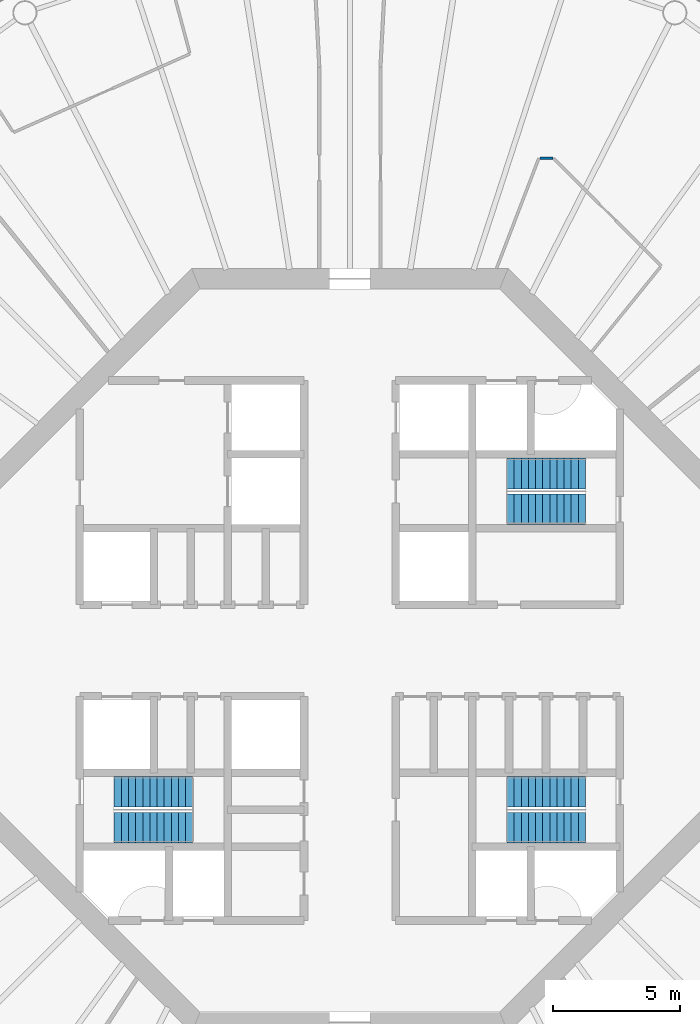
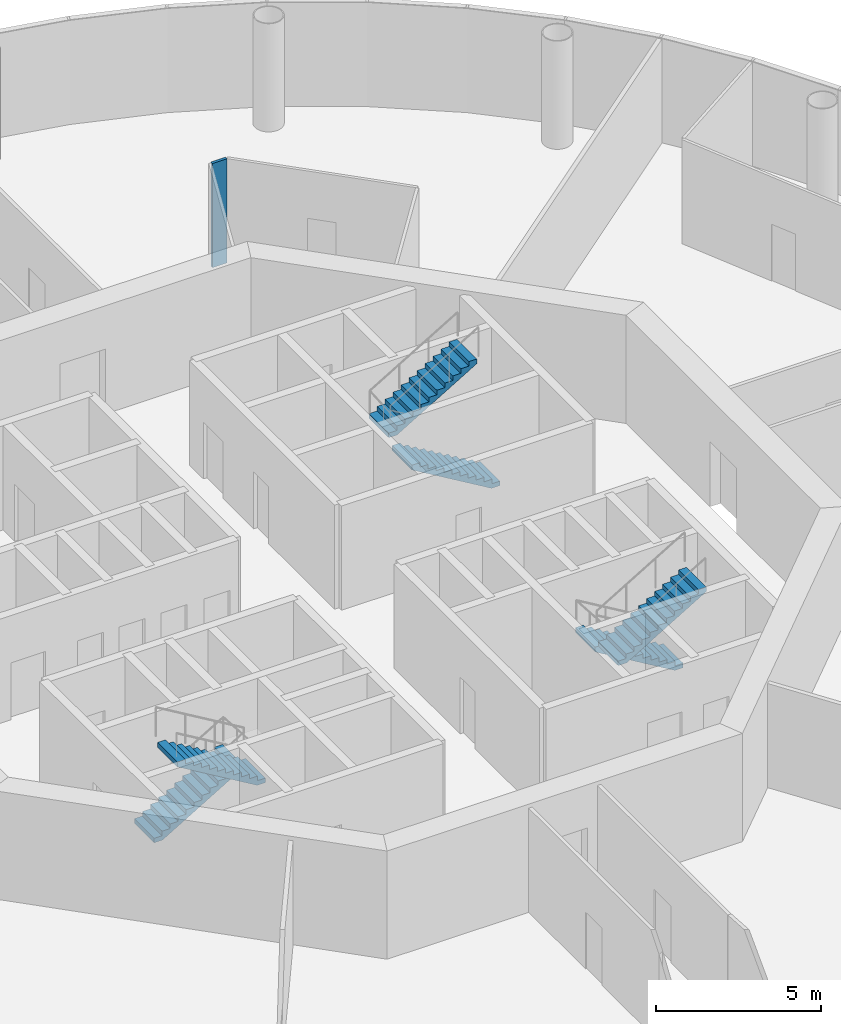
# One storey, part 6 of 13: 6 stair flights, 1 wall, 3 elements without a shape of their own.
"""IFC4 building model written with IfcOpenShell, lengths in metres."""

from ifc_helpers import new_model, si_unit, direction, frame, frame_2d, origin, place, context, subcontext, project, spatial, polyline, rectangle, outline, extrude, material, layer, layer_set, type_object, element, aggregate, save


model = new_model("IFC4")

# Units and contexts
model_context = context("Model", 3, precision=1e-05, world=origin(), true_north=direction((0.0, 1.0)))
body_context = subcontext(model_context, "Body", "Model", "MODEL_VIEW")
ifc_project = project(units=[si_unit("LENGTHUNIT", "METRE"), si_unit("AREAUNIT", "SQUARE_METRE"), si_unit("VOLUMEUNIT", "CUBIC_METRE"), si_unit("PLANEANGLEUNIT", "RADIAN"), si_unit("MASSUNIT", "GRAM", prefix="KILO")], contexts=[model_context])

# Site, building, storey
site_placement = place(None, origin())
site = spatial("IfcSite", under=ifc_project, at=site_placement, CompositionType="ELEMENT")
building_placement = place(site_placement, origin())
building = spatial("IfcBuilding", under=site, at=building_placement, Name="Entoto Ring Tower", CompositionType="ELEMENT")
storey_placement = place(building_placement, frame((0.0, 0.0, 314.0)))
storey = spatial("IfcBuildingStorey", under=building, at=storey_placement, Name="L72", CompositionType="ELEMENT", Elevation=314.0)

# Wall
ifc_material_1 = material(Name="Plasterboard on steel studs", Category="steel")
ifc_layer = layer(ifc_material_1, 0.10009765625)
ifc_layer_set = layer_set([ifc_layer], Name="Plasterboard on steel studs")
wall_type = type_object("IfcWallType", Name="Partition 100 mm plasterboard on steel studs", PredefinedType="PARTITIONING", material=ifc_layer_set)
wall_placement = place(storey_placement, frame((97.462890625, 99.320068359375, 0.0), z_axis=(0.0, 0.0, 1.0), x_axis=(1.0, 0.0, 0.0)))
element("IfcWall", 1, at=wall_placement, inside=storey, type_object=wall_type, Name="partition-L72-039", PredefinedType="PARTITIONING", context=body_context, shape_type="SweptSolid", body=[
    extrude(rectangle(XDim=0.504638671875, YDim=0.10009765625, at=frame_2d((0.25244140625, 0.0))), origin(), (0.0, 0.0, 1.0), 3.85009765625),
])

# Stair, stair flights
ifc_material_2 = material(Name="Concrete C40/50", Category="concrete")
stair_type = type_object("IfcStairType", Name="Exit stair 1200 mm dog-leg reinforced concrete", PredefinedType="HALF_TURN_STAIR", material=ifc_material_2)
stair_1_placement = place(storey_placement, origin())
stair_1 = element("IfcStair", 2, at=stair_1_placement, inside=storey, type_object=stair_type, Name="Exit stair 1", PredefinedType="HALF_TURN_STAIR")
ifc_material_3 = material(Name="Concrete C40/50", Category="concrete")
stair_flight_type = type_object("IfcStairFlightType", Name="Stair flight 1200 mm reinforced concrete", PredefinedType="STRAIGHT", material=ifc_material_3)
stair_flight_1_placement = place(storey_placement, frame((99.25, 85.550048828125, 0.0), z_axis=(0.0, 0.0, 1.0), x_axis=(-1.0, 0.0, 0.0)))
stair_flight_1 = element("IfcStairFlight", 3, at=stair_flight_1_placement, type_object=stair_flight_type, Name="ST1 flight 1", NumberOfRisers=12, NumberOfTreads=11, PredefinedType="STRAIGHT", RiserHeight=0.166666667, TreadLength=0.28, context=body_context, shape_type="SweptSolid", body=[
    extrude(outline(polyline([(0.0, 0.0), (0.0, 0.166748046875), (0.280029296875, 0.166748046875), (0.280029296875, 0.333251953125), (0.56005859375, 0.333251953125), (0.56005859375, 0.5), (0.840087890625, 0.5), (0.840087890625, 0.666748046875), (1.1201171875, 0.666748046875), (1.1201171875, 0.833251953125), (1.39990234375, 0.833251953125), (1.39990234375, 1.0), (1.679931640625, 1.0), (1.679931640625, 1.166748046875), (1.9599609375, 1.166748046875), (1.9599609375, 1.333251953125), (2.239990234375, 1.333251953125), (2.239990234375, 1.5), (2.52001953125, 1.5), (2.52001953125, 1.666748046875), (2.800048828125, 1.666748046875), (2.800048828125, 1.833251953125), (3.080078125, 1.833251953125), (3.080078125, 2.0), (3.080078125, 1.658935546875), (0.29296875, 0.0), (0.0, 0.0)])), frame((0.0, 0.60009765625, 0.0), z_axis=(0.0, -1.0, 0.0), x_axis=(1.0, 0.0, 0.0)), (0.0, 0.0, 1.0), 1.199951171875),
])
stair_flight_2_placement = place(storey_placement, frame((96.169921875, 86.949951171875, 2.0), z_axis=(0.0, 0.0, 1.0), x_axis=(1.0, 0.0, 0.0)))
stair_flight_2 = element("IfcStairFlight", 4, at=stair_flight_2_placement, type_object=stair_flight_type, Name="ST1 flight 2", NumberOfRisers=12, NumberOfTreads=11, PredefinedType="STRAIGHT", RiserHeight=0.166666667, TreadLength=0.28, context=body_context, shape_type="SweptSolid", body=[
    extrude(outline(polyline([(0.0, 0.0), (0.0, 0.166748046875), (0.280029296875, 0.166748046875), (0.280029296875, 0.333251953125), (0.56005859375, 0.333251953125), (0.56005859375, 0.5), (0.840087890625, 0.5), (0.840087890625, 0.666748046875), (1.1201171875, 0.666748046875), (1.1201171875, 0.833251953125), (1.39990234375, 0.833251953125), (1.39990234375, 1.0), (1.679931640625, 1.0), (1.679931640625, 1.166748046875), (1.9599609375, 1.166748046875), (1.9599609375, 1.333251953125), (2.239990234375, 1.333251953125), (2.239990234375, 1.5), (2.52001953125, 1.5), (2.52001953125, 1.666748046875), (2.800048828125, 1.666748046875), (2.800048828125, 1.833251953125), (3.080078125, 1.833251953125), (3.080078125, 2.0), (3.080078125, 1.658935546875), (0.29296875, 0.0), (0.0, 0.0)])), frame((0.0, 0.60009765625, 0.0), z_axis=(0.0, -1.0, 0.0), x_axis=(1.0, 0.0, 0.0)), (0.0, 0.0, 1.0), 1.199951171875),
])
aggregate(stair_1, [stair_flight_1, stair_flight_2])

stair_2_placement = place(storey_placement, origin())
stair_2 = element("IfcStair", 5, at=stair_2_placement, inside=storey, type_object=stair_type, Name="Exit stair 2", PredefinedType="HALF_TURN_STAIR")
stair_flight_3_placement = place(storey_placement, frame((80.75, 74.449951171875, 0.0), z_axis=(0.0, 0.0, 1.0), x_axis=(1.0, 0.0, 0.0)))
stair_flight_3 = element("IfcStairFlight", 6, at=stair_flight_3_placement, type_object=stair_flight_type, Name="ST2 flight 1", NumberOfRisers=12, NumberOfTreads=11, PredefinedType="STRAIGHT", RiserHeight=0.166666667, TreadLength=0.28, context=body_context, shape_type="SweptSolid", body=[
    extrude(outline(polyline([(0.0, 0.0), (0.0, 0.166748046875), (0.280029296875, 0.166748046875), (0.280029296875, 0.333251953125), (0.56005859375, 0.333251953125), (0.56005859375, 0.5), (0.840087890625, 0.5), (0.840087890625, 0.666748046875), (1.1201171875, 0.666748046875), (1.1201171875, 0.833251953125), (1.39990234375, 0.833251953125), (1.39990234375, 1.0), (1.679931640625, 1.0), (1.679931640625, 1.166748046875), (1.9599609375, 1.166748046875), (1.9599609375, 1.333251953125), (2.239990234375, 1.333251953125), (2.239990234375, 1.5), (2.52001953125, 1.5), (2.52001953125, 1.666748046875), (2.800048828125, 1.666748046875), (2.800048828125, 1.833251953125), (3.080078125, 1.833251953125), (3.080078125, 2.0), (3.080078125, 1.658935546875), (0.29296875, 0.0), (0.0, 0.0)])), frame((0.0, 0.60009765625, 0.0), z_axis=(0.0, -1.0, 0.0), x_axis=(1.0, 0.0, 0.0)), (0.0, 0.0, 1.0), 1.199951171875),
])
stair_flight_4_placement = place(storey_placement, frame((83.830078125, 73.050048828125, 2.0), z_axis=(0.0, 0.0, 1.0), x_axis=(-1.0, 0.0, 0.0)))
stair_flight_4 = element("IfcStairFlight", 7, at=stair_flight_4_placement, type_object=stair_flight_type, Name="ST2 flight 2", NumberOfRisers=12, NumberOfTreads=11, PredefinedType="STRAIGHT", RiserHeight=0.166666667, TreadLength=0.28, context=body_context, shape_type="SweptSolid", body=[
    extrude(outline(polyline([(0.0, 0.0), (0.0, 0.166748046875), (0.280029296875, 0.166748046875), (0.280029296875, 0.333251953125), (0.56005859375, 0.333251953125), (0.56005859375, 0.5), (0.840087890625, 0.5), (0.840087890625, 0.666748046875), (1.1201171875, 0.666748046875), (1.1201171875, 0.833251953125), (1.39990234375, 0.833251953125), (1.39990234375, 1.0), (1.679931640625, 1.0), (1.679931640625, 1.166748046875), (1.9599609375, 1.166748046875), (1.9599609375, 1.333251953125), (2.239990234375, 1.333251953125), (2.239990234375, 1.5), (2.52001953125, 1.5), (2.52001953125, 1.666748046875), (2.800048828125, 1.666748046875), (2.800048828125, 1.833251953125), (3.080078125, 1.833251953125), (3.080078125, 2.0), (3.080078125, 1.658935546875), (0.29296875, 0.0), (0.0, 0.0)])), frame((0.0, 0.60009765625, 0.0), z_axis=(0.0, -1.0, 0.0), x_axis=(1.0, 0.0, 0.0)), (0.0, 0.0, 1.0), 1.199951171875),
])
aggregate(stair_2, [stair_flight_3, stair_flight_4])

stair_3_placement = place(storey_placement, origin())
stair_3 = element("IfcStair", 8, at=stair_3_placement, inside=storey, type_object=stair_type, Name="Exit stair 3", PredefinedType="HALF_TURN_STAIR")
stair_flight_5_placement = place(storey_placement, frame((99.25, 74.449951171875, 0.0), z_axis=(0.0, 0.0, 1.0), x_axis=(-1.0, 0.0, 0.0)))
stair_flight_5 = element("IfcStairFlight", 9, at=stair_flight_5_placement, type_object=stair_flight_type, Name="ST3 flight 1", NumberOfRisers=12, NumberOfTreads=11, PredefinedType="STRAIGHT", RiserHeight=0.166666667, TreadLength=0.28, context=body_context, shape_type="SweptSolid", body=[
    extrude(outline(polyline([(0.0, 0.0), (0.0, 0.166748046875), (0.280029296875, 0.166748046875), (0.280029296875, 0.333251953125), (0.56005859375, 0.333251953125), (0.56005859375, 0.5), (0.840087890625, 0.5), (0.840087890625, 0.666748046875), (1.1201171875, 0.666748046875), (1.1201171875, 0.833251953125), (1.39990234375, 0.833251953125), (1.39990234375, 1.0), (1.679931640625, 1.0), (1.679931640625, 1.166748046875), (1.9599609375, 1.166748046875), (1.9599609375, 1.333251953125), (2.239990234375, 1.333251953125), (2.239990234375, 1.5), (2.52001953125, 1.5), (2.52001953125, 1.666748046875), (2.800048828125, 1.666748046875), (2.800048828125, 1.833251953125), (3.080078125, 1.833251953125), (3.080078125, 2.0), (3.080078125, 1.658935546875), (0.29296875, 0.0), (0.0, 0.0)])), frame((0.0, 0.60009765625, 0.0), z_axis=(0.0, -1.0, 0.0), x_axis=(1.0, 0.0, 0.0)), (0.0, 0.0, 1.0), 1.199951171875),
])
stair_flight_6_placement = place(storey_placement, frame((96.169921875, 73.050048828125, 2.0), z_axis=(0.0, 0.0, 1.0), x_axis=(1.0, 0.0, 0.0)))
stair_flight_6 = element("IfcStairFlight", 10, at=stair_flight_6_placement, type_object=stair_flight_type, Name="ST3 flight 2", NumberOfRisers=12, NumberOfTreads=11, PredefinedType="STRAIGHT", RiserHeight=0.166666667, TreadLength=0.28, context=body_context, shape_type="SweptSolid", body=[
    extrude(outline(polyline([(0.0, 0.0), (0.0, 0.166748046875), (0.280029296875, 0.166748046875), (0.280029296875, 0.333251953125), (0.56005859375, 0.333251953125), (0.56005859375, 0.5), (0.840087890625, 0.5), (0.840087890625, 0.666748046875), (1.1201171875, 0.666748046875), (1.1201171875, 0.833251953125), (1.39990234375, 0.833251953125), (1.39990234375, 1.0), (1.679931640625, 1.0), (1.679931640625, 1.166748046875), (1.9599609375, 1.166748046875), (1.9599609375, 1.333251953125), (2.239990234375, 1.333251953125), (2.239990234375, 1.5), (2.52001953125, 1.5), (2.52001953125, 1.666748046875), (2.800048828125, 1.666748046875), (2.800048828125, 1.833251953125), (3.080078125, 1.833251953125), (3.080078125, 2.0), (3.080078125, 1.658935546875), (0.29296875, 0.0), (0.0, 0.0)])), frame((0.0, 0.60009765625, 0.0), z_axis=(0.0, -1.0, 0.0), x_axis=(1.0, 0.0, 0.0)), (0.0, 0.0, 1.0), 1.199951171875),
])
aggregate(stair_3, [stair_flight_5, stair_flight_6])

save(model, "model.ifc")
